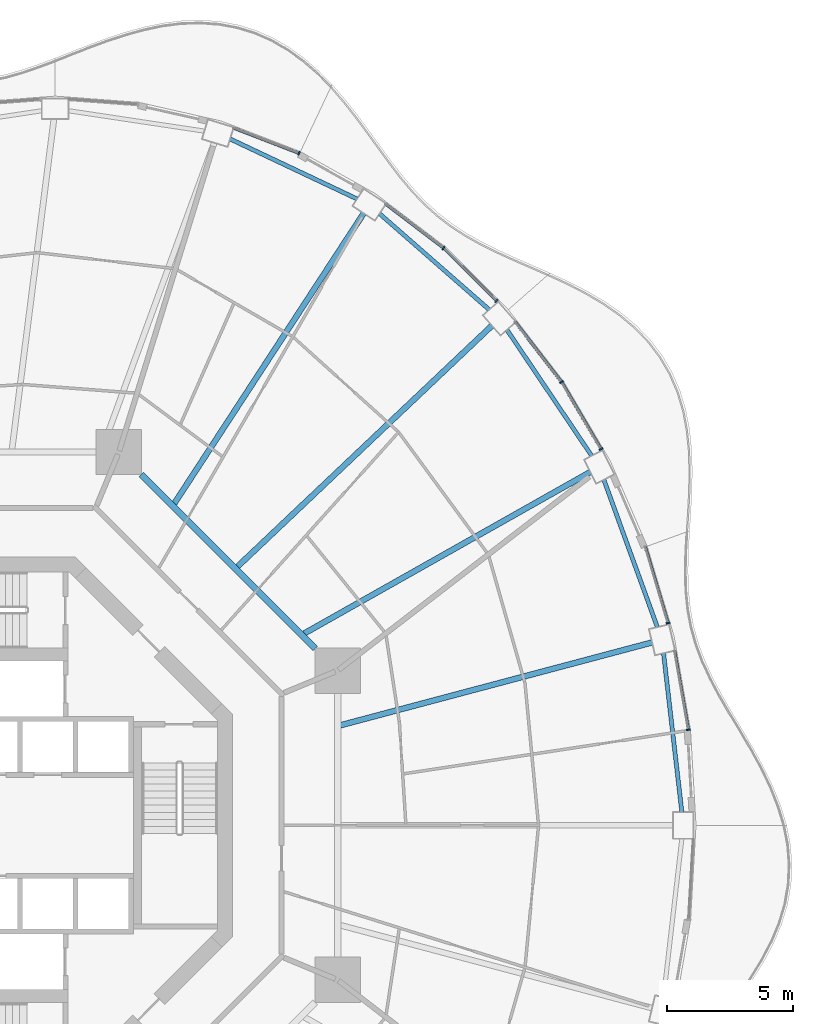
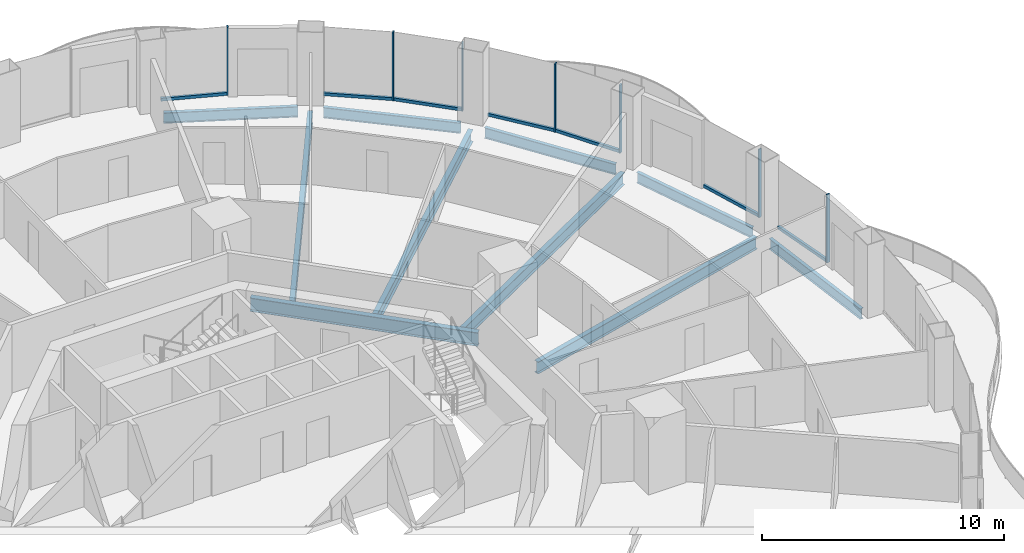
# One storey, part 8 of 19: 14 members, 10 beams, 7 elements without a shape of their own.
"""IFC4 building model written with IfcOpenShell, lengths in metres."""

import ifcopenshell
import ifcopenshell.guid

model = None  # the IFC model being written
_history = None  # IfcOwnerHistory: only IFC2X3 demands one
_inside = {}  # id of a spatial element -> (the spatial element, [elements in it])
_under = {}  # id of a project, library or spatial element -> (it, [spatial elements below it])
_declared = {}  # id of a project -> (the project, [libraries it declares])
_typed = {}  # id of a type object -> (the type object, [elements of that type])
_made_of = {}  # id of a material, layer set ... -> (it, [elements and type objects made of it])


def new_model(schema):
    """Start an empty IFC model of exactly this schema.

    Asked for "IFC4X3", IfcOpenShell would pick the latest addendum, in which some entities
    have other attributes; the version numbers below select the first issue.
    IFC2X3 requires an IfcOwnerHistory on every rooted entity: one is made here for all.
    """
    global model, _history
    if schema == "IFC4X3":
        model = ifcopenshell.file(schema_version=(4, 3, 0, 0))
    else:
        model = ifcopenshell.file(schema=schema)
    _inside.clear()
    _under.clear()
    _declared.clear()
    _typed.clear()
    _made_of.clear()
    _history = None
    if model.schema == "IFC2X3":
        org = make("IfcOrganization", Name="unknown")
        user = make(
            "IfcPersonAndOrganization",
            ThePerson=make("IfcPerson", FamilyName="unknown"),
            TheOrganization=org,
        )
        app = make(
            "IfcApplication",
            ApplicationDeveloper=org,
            Version="unknown",
            ApplicationFullName="unknown",
            ApplicationIdentifier="unknown",
        )
        _history = make(
            "IfcOwnerHistory",
            OwningUser=user,
            OwningApplication=app,
            ChangeAction="ADDED",
            CreationDate=0,
        )
    return model


def make(cls, **values):
    """One entity of the class cls with the attributes given. An attribute that is None is left unset."""
    return model.create_entity(
        cls, **{name: value for name, value in values.items() if value is not None}
    )


def rooted(cls, **values):
    """An entity with a GlobalId (a new one), such as an element, a storey or a relation."""
    return make(cls, GlobalId=ifcopenshell.guid.new(), OwnerHistory=_history, **values)


def si_unit(unit_type, name, prefix=None):
    """IfcSIUnit, for example si_unit("LENGTHUNIT", "METRE", prefix="MILLI")."""
    return make("IfcSIUnit", UnitType=unit_type, Prefix=prefix, Name=name)


def assignment(units):
    """IfcUnitAssignment: the units of a project."""
    return None if units is None else make("IfcUnitAssignment", Units=units)


def point(xyz):
    """IfcCartesianPoint."""
    return None if xyz is None else make("IfcCartesianPoint", Coordinates=xyz)


def direction(xyz):
    """IfcDirection."""
    return None if xyz is None else make("IfcDirection", DirectionRatios=xyz)


def frame(location, z_axis=None, x_axis=None):
    """IfcAxis2Placement3D, a coordinate frame: its origin and axes. An axis left out is left unset."""
    return make(
        "IfcAxis2Placement3D",
        Location=point(location),
        Axis=direction(z_axis),
        RefDirection=direction(x_axis),
    )


def frame_2d(location, x_axis=None):
    """IfcAxis2Placement2D, a coordinate frame in the plane: its origin and x axis."""
    return make(
        "IfcAxis2Placement2D", Location=point(location), RefDirection=direction(x_axis)
    )


def origin():
    """The frame at (0, 0, 0) with its axes left unset."""
    return frame((0.0, 0.0, 0.0))


def origin_2d():
    """The frame at (0, 0) in the plane with its x axis left unset."""
    return frame_2d((0.0, 0.0))


def place(relative_to, where):
    """IfcLocalPlacement: puts the frame where relative to a parent placement (None: the world)."""
    return make(
        "IfcLocalPlacement", PlacementRelTo=relative_to, RelativePlacement=where
    )


def context(
    kind, dimensions, precision=None, world=None, true_north=None, identifier=None
):
    """IfcGeometricRepresentationContext, for example the 3D "Model" context."""
    return make(
        "IfcGeometricRepresentationContext",
        ContextIdentifier=identifier,
        ContextType=kind,
        CoordinateSpaceDimension=dimensions,
        Precision=precision,
        WorldCoordinateSystem=world,
        TrueNorth=true_north,
    )


def subcontext(parent, identifier, kind, view, scale=None):
    """IfcGeometricRepresentationSubContext, for example "Body" below "Model"."""
    return make(
        "IfcGeometricRepresentationSubContext",
        ContextIdentifier=identifier,
        ContextType=kind,
        ParentContext=parent,
        TargetScale=scale,
        TargetView=view,
    )


def project(units=None, contexts=None):
    """IfcProject with its units and contexts."""
    return rooted(
        "IfcProject",
        Name="project",
        RepresentationContexts=contexts,
        UnitsInContext=assignment(units),
    )


def spatial(cls, under=None, at=None, **own):
    """A site, building, storey or space (cls), placed at a placement, below another one or the project."""
    s = rooted(cls, ObjectPlacement=at, **own)
    if under is not None:
        _under.setdefault(under.id(), (under, []))[1].append(s)
    return s


def profile(cls, at=None, kind="AREA", **sizes):
    """A parametric profile (cls). Its sizes go by their IFC names, for example OverallWidth=200.0."""
    return make(cls, ProfileType=kind, Position=at, **sizes)


def rectangle(**sizes):
    """IfcRectangleProfileDef."""
    return profile("IfcRectangleProfileDef", **sizes)


def i_section(**sizes):
    """IfcIShapeProfileDef."""
    return profile("IfcIShapeProfileDef", **sizes)


def extrude(swept, where, along, depth):
    """IfcExtrudedAreaSolid: the profile swept, set in the frame where, extruded along a direction by depth."""
    return make(
        "IfcExtrudedAreaSolid",
        SweptArea=swept,
        Position=where,
        ExtrudedDirection=direction(along),
        Depth=depth,
    )


def shape(context_of_items, identifier, shape_type, items):
    """IfcShapeRepresentation: the items that make up one representation, for example the "Body"."""
    return make(
        "IfcShapeRepresentation",
        ContextOfItems=context_of_items,
        RepresentationIdentifier=identifier,
        RepresentationType=shape_type,
        Items=items,
    )


def material(Name=None, Category=None):
    """IfcMaterial."""
    return make("IfcMaterial", Name=Name, Category=Category)


def layer(
    of_material, thickness, ventilated=None, Name=None, Category=None, Priority=None
):
    """IfcMaterialLayer: one layer of a wall or slab, of a material (None: an air gap)."""
    return make(
        "IfcMaterialLayer",
        Material=of_material,
        LayerThickness=thickness,
        IsVentilated=ventilated,
        Name=Name,
        Category=Category,
        Priority=Priority,
    )


def layer_set(layers, Name=None):
    """IfcMaterialLayerSet."""
    return make("IfcMaterialLayerSet", MaterialLayers=layers, LayerSetName=Name)


def material_profile(
    of_material, cross_section, Name=None, Category=None, Priority=None
):
    """IfcMaterialProfile: a cross section and its material."""
    return make(
        "IfcMaterialProfile",
        Name=Name,
        Material=of_material,
        Profile=cross_section,
        Priority=Priority,
        Category=Category,
    )


def profile_set(profiles, Name=None, composite=None):
    """IfcMaterialProfileSet."""
    return make(
        "IfcMaterialProfileSet",
        Name=Name,
        MaterialProfiles=profiles,
        CompositeProfile=composite,
    )


def made_of(thing, what):
    """Note that an element or type object is made of a material, layer set ...; save() writes the relation."""
    if what is not None:
        _made_of.setdefault(what.id(), (what, []))[1].append(thing)
    return thing


def type_object(cls, material=None, **own):
    """A type object (cls), such as IfcWallType, which elements share."""
    return made_of(rooted(cls, **own), material)


def element(
    cls,
    number,
    at=None,
    inside=None,
    cuts=None,
    type_object=None,
    material=None,
    context=None,
    identifier="Body",
    shape_type=None,
    held_by="IfcProductDefinitionShape",
    body=None,
    shapes=None,
    **own,
):
    """One element of the class cls, such as IfcWall. Its Tag is "e" and its number.

    at: its placement. inside: the storey or other place that contains it. cuts: it is an
    opening in that element (IfcRelVoidsElement). A single representation is given by context,
    identifier, shape_type and body (its items); several are given by shapes. held_by: the class
    of the entity that holds the representations. save() writes the other relations.
    """
    e = rooted(cls, Tag="e%d" % number, ObjectPlacement=at, **own)
    if body is not None:
        shapes = [shape(context, identifier, shape_type, body)]
    if shapes is not None:
        e.Representation = make(held_by, Representations=shapes)
    if inside is not None:
        _inside.setdefault(inside.id(), (inside, []))[1].append(e)
    if cuts is not None:
        rooted(
            "IfcRelVoidsElement", RelatingBuildingElement=cuts, RelatedOpeningElement=e
        )
    if type_object is not None:
        _typed.setdefault(type_object.id(), (type_object, []))[1].append(e)
    return made_of(e, material)


def aggregate(whole, parts):
    """IfcRelAggregates: a whole, such as a stair, and the parts it consists of."""
    return rooted("IfcRelAggregates", RelatingObject=whole, RelatedObjects=parts)


def save(model, path):
    """Write the relations noted so far, then the file.

    IfcRelAggregates (storeys below a building ...), IfcRelContainedInSpatialStructure (elements
    in a storey), IfcRelDefinesByType, IfcRelAssociatesMaterial and IfcRelDeclares: one each for
    every whole, place, type object, material and project.
    """
    for whole, parts in _under.values():
        aggregate(whole, parts)
    for where, things in _inside.values():
        rooted(
            "IfcRelContainedInSpatialStructure",
            RelatedElements=things,
            RelatingStructure=where,
        )
    for kind, things in _typed.values():
        rooted("IfcRelDefinesByType", RelatedObjects=things, RelatingType=kind)
    for what, things in _made_of.values():
        rooted("IfcRelAssociatesMaterial", RelatedObjects=things, RelatingMaterial=what)
    for by, libraries in _declared.values():
        rooted("IfcRelDeclares", RelatingContext=by, RelatedDefinitions=libraries)
    model.write(path)


model = new_model("IFC4")

# Units and contexts
model_context = context("Model", 3, precision=1e-05, world=origin(), true_north=direction((0.0, 1.0)))
body_context = subcontext(model_context, "Body", "Model", "MODEL_VIEW")
ifc_project = project(units=[si_unit("LENGTHUNIT", "METRE"), si_unit("AREAUNIT", "SQUARE_METRE"), si_unit("VOLUMEUNIT", "CUBIC_METRE"), si_unit("PLANEANGLEUNIT", "RADIAN"), si_unit("MASSUNIT", "GRAM", prefix="KILO")], contexts=[model_context])

# Site, building, storey
site_placement = place(None, origin())
site = spatial("IfcSite", under=ifc_project, at=site_placement, CompositionType="ELEMENT")
building_placement = place(site_placement, origin())
building = spatial("IfcBuilding", under=site, at=building_placement, Name="Nagisa Residences", CompositionType="ELEMENT")
storey_placement = place(building_placement, frame((0.0, 0.0, 180.699951171875)))
storey = spatial("IfcBuildingStorey", under=building, at=storey_placement, Name="L45", CompositionType="ELEMENT", Elevation=180.699951171875)

# Curtain wall, member
ifc_material_1 = material(Name="Concrete-coloured aluminium curtain wall system", Category="concrete")
ifc_layer = layer(ifc_material_1, 0.159912109375)
ifc_layer_set = layer_set([ifc_layer], Name="CW1 CURTAIN WALL")
curtain_wall_type = type_object("IfcCurtainWallType", Name="CW1 CURTAIN WALL", PredefinedType="NOTDEFINED", material=ifc_layer_set)
curtain_wall_1_placement = place(storey_placement, origin())
curtain_wall_1 = element("IfcCurtainWall", 1, at=curtain_wall_1_placement, inside=storey, type_object=curtain_wall_type, Name="cw:CW1:L45:01", PredefinedType="NOTDEFINED")
ifc_material_2 = material(Name="Concrete-coloured aluminium", Category="concrete")
ifc_material_profile_1 = material_profile(ifc_material_2, rectangle(XDim=0.159912109375, YDim=0.06005859375, at=origin_2d()), Name="CW1 MULLION 160x60")
ifc_profile_set_1 = profile_set([ifc_material_profile_1], Name="Concrete-coloured aluminium")
member_type_1 = type_object("IfcMemberType", Name="CW1 MULLION 160x60", PredefinedType="MULLION", material=ifc_profile_set_1)
member_1_placement = place(storey_placement, frame((28.673828125, 3.78466796875, 0.0), z_axis=(0.0, 0.0, 1.0), x_axis=(-0.985063604377, -0.172190868898, 0.0)))
member_1 = element("IfcMember", 2, at=member_1_placement, type_object=member_type_1, Name="CW1 mullion", PredefinedType="MULLION", context=body_context, shape_type="SweptSolid", body=[
    extrude(rectangle(XDim=0.159912109375, YDim=0.06005859375, at=origin_2d()), origin(), (0.0, 0.0, 1.0), 3.43994140625),
])

curtain_wall_2_placement = place(storey_placement, origin())
curtain_wall_2 = element("IfcCurtainWall", 3, at=curtain_wall_2_placement, inside=storey, type_object=curtain_wall_type, Name="cw:CW1:L45:02", PredefinedType="NOTDEFINED")
member_2_placement = place(storey_placement, frame((27.867919921875, 8.00634765625, 0.0), z_axis=(0.0, 0.0, 1.0), x_axis=(-0.958271310082, -0.285860274038, 0.0)))
member_2 = element("IfcMember", 4, at=member_2_placement, type_object=member_type_1, Name="CW1 mullion", PredefinedType="MULLION", context=body_context, shape_type="SweptSolid", body=[
    extrude(rectangle(XDim=0.159912109375, YDim=0.06005859375, at=origin_2d()), origin(), (0.0, 0.0, 1.0), 3.43994140625),
])

curtain_wall_3_placement = place(storey_placement, origin())
curtain_wall_3 = element("IfcCurtainWall", 5, at=curtain_wall_3_placement, inside=storey, type_object=curtain_wall_type, Name="cw:CW1:L45:04", PredefinedType="NOTDEFINED")
member_3_placement = place(storey_placement, frame((25.212646484375, 14.897216796875, 0.0), z_axis=(0.0, 0.0, 1.0), x_axis=(-0.862328898214, -0.506348567002, 0.0)))
member_3 = element("IfcMember", 6, at=member_3_placement, type_object=member_type_1, Name="CW1 mullion", PredefinedType="MULLION", context=body_context, shape_type="SweptSolid", body=[
    extrude(rectangle(XDim=0.159912109375, YDim=0.06005859375, at=origin_2d()), origin(), (0.0, 0.0, 1.0), 3.43994140625),
])

curtain_wall_4_placement = place(storey_placement, origin())
curtain_wall_4 = element("IfcCurtainWall", 7, at=curtain_wall_4_placement, inside=storey, type_object=curtain_wall_type, Name="cw:CW1:L45:05", PredefinedType="NOTDEFINED")
member_4_placement = place(storey_placement, frame((23.649658203125, 17.552978515625, 0.0), z_axis=(0.0, 0.0, 1.0), x_axis=(-0.792070340816, -0.610429828235, 0.0)))
member_4 = element("IfcMember", 8, at=member_4_placement, type_object=member_type_1, Name="CW1 mullion", PredefinedType="MULLION", context=body_context, shape_type="SweptSolid", body=[
    extrude(rectangle(XDim=0.159912109375, YDim=0.06005859375, at=origin_2d()), origin(), (0.0, 0.0, 1.0), 3.43994140625),
])

curtain_wall_5_placement = place(storey_placement, origin())
curtain_wall_5 = element("IfcCurtainWall", 9, at=curtain_wall_5_placement, inside=storey, type_object=curtain_wall_type, Name="cw:CW1:L45:06", PredefinedType="NOTDEFINED")
member_5_placement = place(storey_placement, frame((21.07568359375, 20.770751953125, 0.0), z_axis=(0.0, 0.0, 1.0), x_axis=(-0.706376885714, -0.707835924016, 0.0)))
member_5 = element("IfcMember", 10, at=member_5_placement, type_object=member_type_1, Name="CW1 mullion", PredefinedType="MULLION", context=body_context, shape_type="SweptSolid", body=[
    extrude(rectangle(XDim=0.159912109375, YDim=0.06005859375, at=origin_2d()), origin(), (0.0, 0.0, 1.0), 3.43994140625),
])

curtain_wall_6_placement = place(storey_placement, origin())
curtain_wall_6 = element("IfcCurtainWall", 11, at=curtain_wall_6_placement, inside=storey, type_object=curtain_wall_type, Name="cw:CW1:L45:07", PredefinedType="NOTDEFINED")
member_6_placement = place(storey_placement, frame((18.97509765625, 22.862548828125, 0.0), z_axis=(0.0, 0.0, 1.0), x_axis=(-0.605255421737, -0.79603132756, 0.0)))
member_6 = element("IfcMember", 12, at=member_6_placement, type_object=member_type_1, Name="CW1 mullion", PredefinedType="MULLION", context=body_context, shape_type="SweptSolid", body=[
    extrude(rectangle(XDim=0.159912109375, YDim=0.06005859375, at=origin_2d()), origin(), (0.0, 0.0, 1.0), 3.43994140625),
])

curtain_wall_7_placement = place(storey_placement, origin())
curtain_wall_7 = element("IfcCurtainWall", 13, at=curtain_wall_7_placement, inside=storey, type_object=curtain_wall_type, Name="cw:CW1:L45:09", PredefinedType="NOTDEFINED")
member_7_placement = place(storey_placement, frame((13.253662109375, 26.61328125, 0.0), z_axis=(0.0, 0.0, 1.0), x_axis=(-0.360327770268, -0.932825759707, 0.0)))
member_7 = element("IfcMember", 14, at=member_7_placement, type_object=member_type_1, Name="CW1 mullion", PredefinedType="MULLION", context=body_context, shape_type="SweptSolid", body=[
    extrude(rectangle(XDim=0.159912109375, YDim=0.06005859375, at=origin_2d()), origin(), (0.0, 0.0, 1.0), 3.43994140625),
])

# Member
ifc_material_3 = material(Name="Concrete-coloured aluminium", Category="concrete")
ifc_material_profile_2 = material_profile(ifc_material_3, rectangle(XDim=0.1201171875, YDim=0.14990234375, at=origin_2d()), Name="CW1 TRANSOM 120x150")
ifc_profile_set_2 = profile_set([ifc_material_profile_2], Name="Concrete-coloured aluminium")
member_type_2 = type_object("IfcMemberType", Name="CW1 TRANSOM 120x150", PredefinedType="USERDEFINED", material=ifc_profile_set_2)
member_8_placement = place(storey_placement, frame((28.67919921875, 3.755126953125, 0.074951171875), z_axis=(-0.172236453102, 0.98505563509, 0.0), x_axis=(-0.98505563509, -0.172236453102, 0.0)))
member_8 = element("IfcMember", 15, at=member_8_placement, type_object=member_type_2, Name="CW1 transom", ObjectType="TRANSOM", PredefinedType="USERDEFINED", context=body_context, shape_type="SweptSolid", body=[
    extrude(rectangle(XDim=0.1201171875, YDim=0.14990234375, at=origin_2d()), origin(), (0.0, 0.0, 1.0), 3.210693359375),
])

aggregate(curtain_wall_1, [member_1, member_8])

member_9_placement = place(storey_placement, frame((27.87646484375, 7.9775390625, 0.074951171875), z_axis=(-0.28584838049, 0.958274857946, 0.0), x_axis=(-0.958274857946, -0.28584838049, 0.0)))
member_9 = element("IfcMember", 16, at=member_9_placement, type_object=member_type_2, Name="CW1 transom", ObjectType="TRANSOM", PredefinedType="USERDEFINED", context=body_context, shape_type="SweptSolid", body=[
    extrude(rectangle(XDim=0.1201171875, YDim=0.14990234375, at=origin_2d()), origin(), (0.0, 0.0, 1.0), 3.182373046875),
])

aggregate(curtain_wall_2, [member_2, member_9])

member_10_placement = place(storey_placement, frame((25.22802734375, 14.871337890625, 0.074951171875), z_axis=(-0.506367803691, 0.862317602386, 0.0), x_axis=(-0.862317602386, -0.506367803691, 0.0)))
member_10 = element("IfcMember", 17, at=member_10_placement, type_object=member_type_2, Name="CW1 transom", ObjectType="TRANSOM", PredefinedType="USERDEFINED", context=body_context, shape_type="SweptSolid", body=[
    extrude(rectangle(XDim=0.1201171875, YDim=0.14990234375, at=origin_2d()), origin(), (0.0, 0.0, 1.0), 3.092041015625),
])

aggregate(curtain_wall_3, [member_3, member_10])

member_11_placement = place(storey_placement, frame((23.66796875, 17.529052734375, 0.074951171875), z_axis=(-0.610398538814, 0.792094453846, 0.0), x_axis=(-0.792094453846, -0.610398538814, 0.0)))
member_11 = element("IfcMember", 18, at=member_11_placement, type_object=member_type_2, Name="CW1 transom", ObjectType="TRANSOM", PredefinedType="USERDEFINED", context=body_context, shape_type="SweptSolid", body=[
    extrude(rectangle(XDim=0.1201171875, YDim=0.14990234375, at=origin_2d()), origin(), (0.0, 0.0, 1.0), 3.035400390625),
])

aggregate(curtain_wall_4, [member_4, member_11])

member_12_placement = place(storey_placement, frame((21.096923828125, 20.74951171875, 0.074951171875), z_axis=(-0.707803821372, 0.706409053206, 0.0), x_axis=(-0.706409053206, -0.707803821372, 0.0)))
member_12 = element("IfcMember", 19, at=member_12_placement, type_object=member_type_2, Name="CW1 transom", ObjectType="TRANSOM", PredefinedType="USERDEFINED", context=body_context, shape_type="SweptSolid", body=[
    extrude(rectangle(XDim=0.1201171875, YDim=0.14990234375, at=origin_2d()), origin(), (0.0, 0.0, 1.0), 2.9755859375),
])

aggregate(curtain_wall_5, [member_5, member_12])

member_13_placement = place(storey_placement, frame((18.998779296875, 22.844482421875, 0.074951171875), z_axis=(-0.796025072301, 0.60526364856, 0.0), x_axis=(-0.60526364856, -0.796025072301, 0.0)))
member_13 = element("IfcMember", 20, at=member_13_placement, type_object=member_type_2, Name="CW1 transom", ObjectType="TRANSOM", PredefinedType="USERDEFINED", context=body_context, shape_type="SweptSolid", body=[
    extrude(rectangle(XDim=0.1201171875, YDim=0.14990234375, at=origin_2d()), origin(), (0.0, 0.0, 1.0), 2.916748046875),
])

aggregate(curtain_wall_6, [member_6, member_13])

member_14_placement = place(storey_placement, frame((13.28173828125, 26.602294921875, 0.074951171875), z_axis=(-0.932795487898, 0.360406128911, 0.0), x_axis=(-0.360406128911, -0.932795487898, 0.0)))
member_14 = element("IfcMember", 21, at=member_14_placement, type_object=member_type_2, Name="CW1 transom", ObjectType="TRANSOM", PredefinedType="USERDEFINED", context=body_context, shape_type="SweptSolid", body=[
    extrude(rectangle(XDim=0.1201171875, YDim=0.14990234375, at=origin_2d()), origin(), (0.0, 0.0, 1.0), 2.8193359375),
])

aggregate(curtain_wall_7, [member_7, member_14])

# Beams
ifc_material_4 = material(Name="Steel ASTM A572 Gr 50", Category="steel")
ifc_material_profile_3 = material_profile(ifc_material_4, i_section(OverallWidth=0.25390625, OverallDepth=0.68408203125, WebThickness=0.012451171875, FlangeThickness=0.018798828125, at=origin_2d()), Name="W690x140")
ifc_profile_set_3 = profile_set([ifc_material_profile_3], Name="Steel ASTM A572 Gr 50")
beam_type_1 = type_object("IfcBeamType", Name="Inner ring beam W690x140", PredefinedType="BEAM", material=ifc_profile_set_3)
beam_1_placement = place(storey_placement, frame((13.896240234375, 7.0087890625, -0.60205078125), z_axis=(-0.707106781187, 0.707106781187, 0.0), x_axis=(-0.707106781187, -0.707106781187, 0.0)))
element("IfcBeam", 22, at=beam_1_placement, inside=storey, type_object=beam_type_1, Name="beam:L45:ib1", PredefinedType="BEAM", context=body_context, shape_type="SweptSolid", body=[
    extrude(i_section(OverallWidth=0.25390625, OverallDepth=0.68408203125, WebThickness=0.012451171875, FlangeThickness=0.018798828125, at=origin_2d()), origin(), (0.0, 0.0, 1.0), 9.740234375),
])
ifc_material_5 = material(Name="Steel ASTM A572 Gr 50", Category="steel")
ifc_material_profile_4 = material_profile(ifc_material_5, i_section(OverallWidth=0.166015625, OverallDepth=0.534912109375, WebThickness=0.01025390625, FlangeThickness=0.0166015625, at=origin_2d()), Name="W530x85")
ifc_profile_set_4 = profile_set([ifc_material_profile_4], Name="Steel ASTM A572 Gr 50")
beam_type_2 = type_object("IfcBeamType", Name="Perimeter ring beam W530x85", PredefinedType="BEAM", material=ifc_profile_set_4)
beam_2_placement = place(storey_placement, frame((28.413818359375, 0.530029296875, -0.52734375), z_axis=(-0.11463289794, 0.993407921606, 0.0), x_axis=(-0.993407921606, -0.11463289794, 0.0)))
element("IfcBeam", 23, at=beam_2_placement, inside=storey, type_object=beam_type_2, Name="beam:L45:pb01", PredefinedType="BEAM", context=body_context, shape_type="SweptSolid", body=[
    extrude(i_section(OverallWidth=0.166015625, OverallDepth=0.534912109375, WebThickness=0.01025390625, FlangeThickness=0.0166015625, at=origin_2d()), origin(), (0.0, 0.0, 1.0), 6.325439453125),
])
beam_3_placement = place(storey_placement, frame((27.4453125, 7.845703125, -0.52734375), z_axis=(-0.341320243926, 0.939947068237, 0.0), x_axis=(-0.939947068237, -0.341320243926, 0.0)))
element("IfcBeam", 24, at=beam_3_placement, inside=storey, type_object=beam_type_2, Name="beam:L45:pb02", PredefinedType="BEAM", context=body_context, shape_type="SweptSolid", body=[
    extrude(i_section(OverallWidth=0.166015625, OverallDepth=0.534912109375, WebThickness=0.01025390625, FlangeThickness=0.0166015625, at=origin_2d()), origin(), (0.0, 0.0, 1.0), 6.212890625),
])
beam_4_placement = place(storey_placement, frame((24.84423828125, 14.630615234375, -0.52734375), z_axis=(-0.558152301307, 0.829738518177, 0.0), x_axis=(-0.829738518177, -0.558152301307, 0.0)))
element("IfcBeam", 25, at=beam_4_placement, inside=storey, type_object=beam_type_2, Name="beam:L45:pb03", PredefinedType="BEAM", context=body_context, shape_type="SweptSolid", body=[
    extrude(i_section(OverallWidth=0.166015625, OverallDepth=0.534912109375, WebThickness=0.01025390625, FlangeThickness=0.0166015625, at=origin_2d()), origin(), (0.0, 0.0, 1.0), 6.013916015625),
])
beam_5_placement = place(storey_placement, frame((20.786865234375, 20.416259765625, -0.52734375), z_axis=(-0.752461486776, 0.658636250838, 0.0), x_axis=(-0.658636250838, -0.752461486776, 0.0)))
element("IfcBeam", 26, at=beam_5_placement, inside=storey, type_object=beam_type_2, Name="beam:L45:pb04", PredefinedType="BEAM", context=body_context, shape_type="SweptSolid", body=[
    extrude(i_section(OverallWidth=0.166015625, OverallDepth=0.534912109375, WebThickness=0.01025390625, FlangeThickness=0.0166015625, at=origin_2d()), origin(), (0.0, 0.0, 1.0), 5.776611328125),
])
beam_6_placement = place(storey_placement, frame((15.553466796875, 24.80224609375, -0.52734375), z_axis=(-0.904157325884, 0.427199637232, 0.0), x_axis=(-0.427199637232, -0.904157325884, 0.0)))
element("IfcBeam", 27, at=beam_6_placement, inside=storey, type_object=beam_type_2, Name="beam:L45:pb05", PredefinedType="BEAM", context=body_context, shape_type="SweptSolid", body=[
    extrude(i_section(OverallWidth=0.166015625, OverallDepth=0.534912109375, WebThickness=0.01025390625, FlangeThickness=0.0166015625, at=origin_2d()), origin(), (0.0, 0.0, 1.0), 5.56396484375),
])
ifc_material_6 = material(Name="Steel ASTM A572 Gr 50", Category="steel")
ifc_material_profile_5 = material_profile(ifc_material_6, i_section(OverallWidth=0.22802734375, OverallDepth=0.60302734375, WebThickness=0.010498046875, FlangeThickness=0.014892578125, at=origin_2d()), Name="W610x101")
ifc_profile_set_5 = profile_set([ifc_material_profile_5], Name="Steel ASTM A572 Gr 50")
beam_type_3 = type_object("IfcBeamType", Name="Radial beam W610x101", PredefinedType="BEAM", material=ifc_profile_set_5)
beam_7_placement = place(storey_placement, frame((27.23583984375, 7.239990234375, -0.5615234375), z_axis=(-0.966436061719, -0.256907256826, 0.0), x_axis=(0.256907256826, -0.966436061719, 0.0)))
element("IfcBeam", 28, at=beam_7_placement, inside=storey, type_object=beam_type_3, Name="beam:L45:rb02", PredefinedType="BEAM", context=body_context, shape_type="SweptSolid", body=[
    extrude(i_section(OverallWidth=0.22802734375, OverallDepth=0.60302734375, WebThickness=0.010498046875, FlangeThickness=0.014892578125, at=origin_2d()), origin(), (0.0, 0.0, 1.0), 12.77490234375),
])
beam_8_placement = place(storey_placement, frame((24.789306640625, 13.98828125, -0.5615234375), z_axis=(-0.870904520395, -0.491452252366, 0.0), x_axis=(0.491452252366, -0.870904520395, 0.0)))
element("IfcBeam", 29, at=beam_8_placement, inside=storey, type_object=beam_type_3, Name="beam:L45:rb03", PredefinedType="BEAM", context=body_context, shape_type="SweptSolid", body=[
    extrude(i_section(OverallWidth=0.22802734375, OverallDepth=0.60302734375, WebThickness=0.010498046875, FlangeThickness=0.014892578125, at=origin_2d()), origin(), (0.0, 0.0, 1.0), 13.007080078125),
])
beam_9_placement = place(storey_placement, frame((20.89501953125, 19.785400390625, -0.5615234375), z_axis=(-0.726119962477, -0.687568033064, 0.0), x_axis=(0.687568033064, -0.726119962477, 0.0)))
element("IfcBeam", 30, at=beam_9_placement, inside=storey, type_object=beam_type_3, Name="beam:L45:rb04", PredefinedType="BEAM", context=body_context, shape_type="SweptSolid", body=[
    extrude(i_section(OverallWidth=0.22802734375, OverallDepth=0.60302734375, WebThickness=0.010498046875, FlangeThickness=0.014892578125, at=origin_2d()), origin(), (0.0, 0.0, 1.0), 13.88134765625),
])
beam_10_placement = place(storey_placement, frame((15.816162109375, 24.234375, -0.5615234375), z_axis=(-0.546541244511, -0.837432187135, 0.0), x_axis=(0.837432187135, -0.546541244511, 0.0)))
element("IfcBeam", 31, at=beam_10_placement, inside=storey, type_object=beam_type_3, Name="beam:L45:rb05", PredefinedType="BEAM", context=body_context, shape_type="SweptSolid", body=[
    extrude(i_section(OverallWidth=0.22802734375, OverallDepth=0.60302734375, WebThickness=0.010498046875, FlangeThickness=0.014892578125, at=origin_2d()), origin(), (0.0, 0.0, 1.0), 13.72412109375),
])

save(model, "model.ifc")
